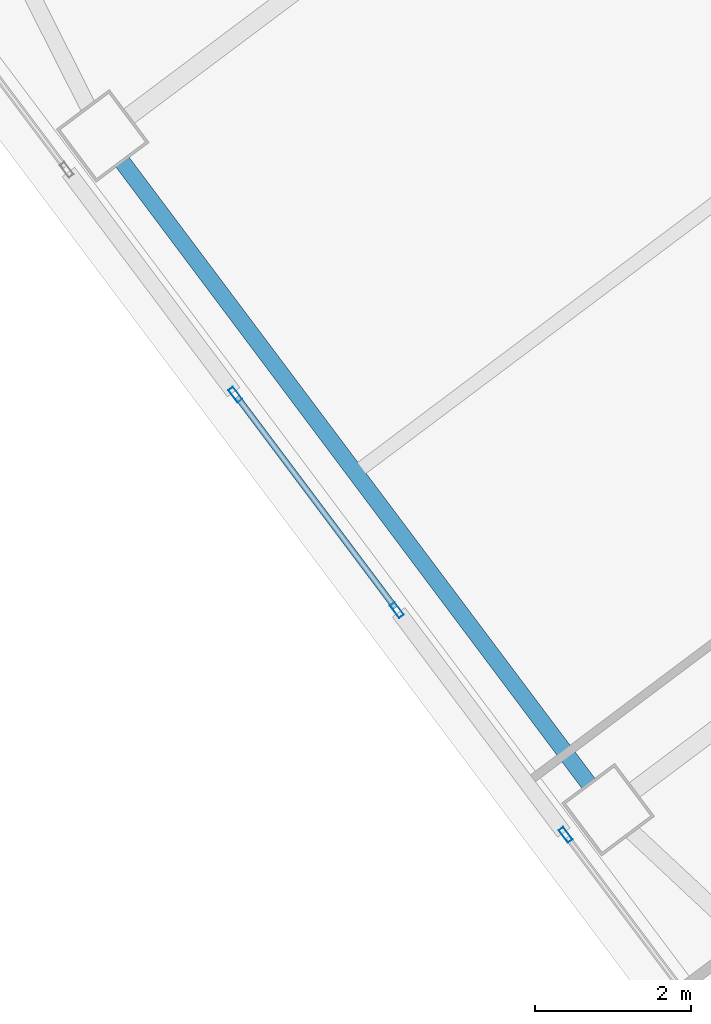
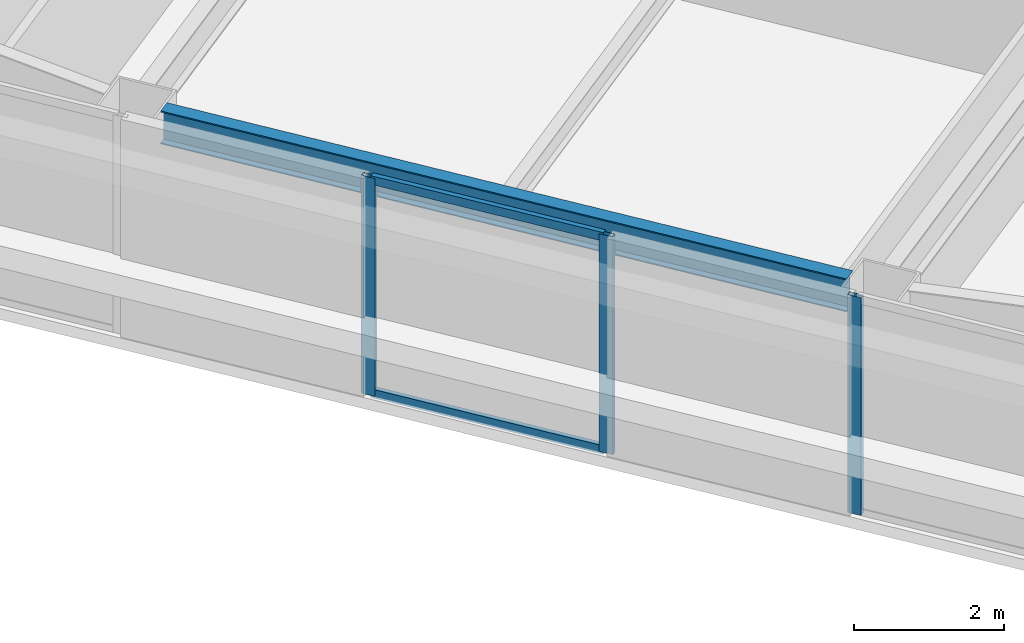
# One storey, part 17 of 42: 5 members, 1 beam, 2 elements without a shape of their own.
"""IFC4 building model written with IfcOpenShell, lengths in metres."""

import ifcopenshell
import ifcopenshell.guid

model = None  # the IFC model being written
_history = None  # IfcOwnerHistory: only IFC2X3 demands one
_inside = {}  # id of a spatial element -> (the spatial element, [elements in it])
_under = {}  # id of a project, library or spatial element -> (it, [spatial elements below it])
_declared = {}  # id of a project -> (the project, [libraries it declares])
_typed = {}  # id of a type object -> (the type object, [elements of that type])
_made_of = {}  # id of a material, layer set ... -> (it, [elements and type objects made of it])


def new_model(schema):
    """Start an empty IFC model of exactly this schema.

    Asked for "IFC4X3", IfcOpenShell would pick the latest addendum, in which some entities
    have other attributes; the version numbers below select the first issue.
    IFC2X3 requires an IfcOwnerHistory on every rooted entity: one is made here for all.
    """
    global model, _history
    if schema == "IFC4X3":
        model = ifcopenshell.file(schema_version=(4, 3, 0, 0))
    else:
        model = ifcopenshell.file(schema=schema)
    _inside.clear()
    _under.clear()
    _declared.clear()
    _typed.clear()
    _made_of.clear()
    _history = None
    if model.schema == "IFC2X3":
        org = make("IfcOrganization", Name="unknown")
        user = make(
            "IfcPersonAndOrganization",
            ThePerson=make("IfcPerson", FamilyName="unknown"),
            TheOrganization=org,
        )
        app = make(
            "IfcApplication",
            ApplicationDeveloper=org,
            Version="unknown",
            ApplicationFullName="unknown",
            ApplicationIdentifier="unknown",
        )
        _history = make(
            "IfcOwnerHistory",
            OwningUser=user,
            OwningApplication=app,
            ChangeAction="ADDED",
            CreationDate=0,
        )
    return model


def make(cls, **values):
    """One entity of the class cls with the attributes given. An attribute that is None is left unset."""
    return model.create_entity(
        cls, **{name: value for name, value in values.items() if value is not None}
    )


def rooted(cls, **values):
    """An entity with a GlobalId (a new one), such as an element, a storey or a relation."""
    return make(cls, GlobalId=ifcopenshell.guid.new(), OwnerHistory=_history, **values)


def si_unit(unit_type, name, prefix=None):
    """IfcSIUnit, for example si_unit("LENGTHUNIT", "METRE", prefix="MILLI")."""
    return make("IfcSIUnit", UnitType=unit_type, Prefix=prefix, Name=name)


def assignment(units):
    """IfcUnitAssignment: the units of a project."""
    return None if units is None else make("IfcUnitAssignment", Units=units)


def point(xyz):
    """IfcCartesianPoint."""
    return None if xyz is None else make("IfcCartesianPoint", Coordinates=xyz)


def direction(xyz):
    """IfcDirection."""
    return None if xyz is None else make("IfcDirection", DirectionRatios=xyz)


def frame(location, z_axis=None, x_axis=None):
    """IfcAxis2Placement3D, a coordinate frame: its origin and axes. An axis left out is left unset."""
    return make(
        "IfcAxis2Placement3D",
        Location=point(location),
        Axis=direction(z_axis),
        RefDirection=direction(x_axis),
    )


def frame_2d(location, x_axis=None):
    """IfcAxis2Placement2D, a coordinate frame in the plane: its origin and x axis."""
    return make(
        "IfcAxis2Placement2D", Location=point(location), RefDirection=direction(x_axis)
    )


def origin():
    """The frame at (0, 0, 0) with its axes left unset."""
    return frame((0.0, 0.0, 0.0))


def origin_2d():
    """The frame at (0, 0) in the plane with its x axis left unset."""
    return frame_2d((0.0, 0.0))


def place(relative_to, where):
    """IfcLocalPlacement: puts the frame where relative to a parent placement (None: the world)."""
    return make(
        "IfcLocalPlacement", PlacementRelTo=relative_to, RelativePlacement=where
    )


def context(
    kind, dimensions, precision=None, world=None, true_north=None, identifier=None
):
    """IfcGeometricRepresentationContext, for example the 3D "Model" context."""
    return make(
        "IfcGeometricRepresentationContext",
        ContextIdentifier=identifier,
        ContextType=kind,
        CoordinateSpaceDimension=dimensions,
        Precision=precision,
        WorldCoordinateSystem=world,
        TrueNorth=true_north,
    )


def subcontext(parent, identifier, kind, view, scale=None):
    """IfcGeometricRepresentationSubContext, for example "Body" below "Model"."""
    return make(
        "IfcGeometricRepresentationSubContext",
        ContextIdentifier=identifier,
        ContextType=kind,
        ParentContext=parent,
        TargetScale=scale,
        TargetView=view,
    )


def project(units=None, contexts=None):
    """IfcProject with its units and contexts."""
    return rooted(
        "IfcProject",
        Name="project",
        RepresentationContexts=contexts,
        UnitsInContext=assignment(units),
    )


def spatial(cls, under=None, at=None, **own):
    """A site, building, storey or space (cls), placed at a placement, below another one or the project."""
    s = rooted(cls, ObjectPlacement=at, **own)
    if under is not None:
        _under.setdefault(under.id(), (under, []))[1].append(s)
    return s


def profile(cls, at=None, kind="AREA", **sizes):
    """A parametric profile (cls). Its sizes go by their IFC names, for example OverallWidth=200.0."""
    return make(cls, ProfileType=kind, Position=at, **sizes)


def hollow_rectangle(**sizes):
    """IfcRectangleHollowProfileDef."""
    return profile("IfcRectangleHollowProfileDef", **sizes)


def i_section(**sizes):
    """IfcIShapeProfileDef."""
    return profile("IfcIShapeProfileDef", **sizes)


def extrude(swept, where, along, depth):
    """IfcExtrudedAreaSolid: the profile swept, set in the frame where, extruded along a direction by depth."""
    return make(
        "IfcExtrudedAreaSolid",
        SweptArea=swept,
        Position=where,
        ExtrudedDirection=direction(along),
        Depth=depth,
    )


def shape(context_of_items, identifier, shape_type, items):
    """IfcShapeRepresentation: the items that make up one representation, for example the "Body"."""
    return make(
        "IfcShapeRepresentation",
        ContextOfItems=context_of_items,
        RepresentationIdentifier=identifier,
        RepresentationType=shape_type,
        Items=items,
    )


def material(Name=None, Category=None):
    """IfcMaterial."""
    return make("IfcMaterial", Name=Name, Category=Category)


def material_profile(
    of_material, cross_section, Name=None, Category=None, Priority=None
):
    """IfcMaterialProfile: a cross section and its material."""
    return make(
        "IfcMaterialProfile",
        Name=Name,
        Material=of_material,
        Profile=cross_section,
        Priority=Priority,
        Category=Category,
    )


def profile_set(profiles, Name=None, composite=None):
    """IfcMaterialProfileSet."""
    return make(
        "IfcMaterialProfileSet",
        Name=Name,
        MaterialProfiles=profiles,
        CompositeProfile=composite,
    )


def made_of(thing, what):
    """Note that an element or type object is made of a material, layer set ...; save() writes the relation."""
    if what is not None:
        _made_of.setdefault(what.id(), (what, []))[1].append(thing)
    return thing


def type_object(cls, material=None, **own):
    """A type object (cls), such as IfcWallType, which elements share."""
    return made_of(rooted(cls, **own), material)


def element(
    cls,
    number,
    at=None,
    inside=None,
    cuts=None,
    type_object=None,
    material=None,
    context=None,
    identifier="Body",
    shape_type=None,
    held_by="IfcProductDefinitionShape",
    body=None,
    shapes=None,
    **own,
):
    """One element of the class cls, such as IfcWall. Its Tag is "e" and its number.

    at: its placement. inside: the storey or other place that contains it. cuts: it is an
    opening in that element (IfcRelVoidsElement). A single representation is given by context,
    identifier, shape_type and body (its items); several are given by shapes. held_by: the class
    of the entity that holds the representations. save() writes the other relations.
    """
    e = rooted(cls, Tag="e%d" % number, ObjectPlacement=at, **own)
    if body is not None:
        shapes = [shape(context, identifier, shape_type, body)]
    if shapes is not None:
        e.Representation = make(held_by, Representations=shapes)
    if inside is not None:
        _inside.setdefault(inside.id(), (inside, []))[1].append(e)
    if cuts is not None:
        rooted(
            "IfcRelVoidsElement", RelatingBuildingElement=cuts, RelatedOpeningElement=e
        )
    if type_object is not None:
        _typed.setdefault(type_object.id(), (type_object, []))[1].append(e)
    return made_of(e, material)


def aggregate(whole, parts):
    """IfcRelAggregates: a whole, such as a stair, and the parts it consists of."""
    return rooted("IfcRelAggregates", RelatingObject=whole, RelatedObjects=parts)


def save(model, path):
    """Write the relations noted so far, then the file.

    IfcRelAggregates (storeys below a building ...), IfcRelContainedInSpatialStructure (elements
    in a storey), IfcRelDefinesByType, IfcRelAssociatesMaterial and IfcRelDeclares: one each for
    every whole, place, type object, material and project.
    """
    for whole, parts in _under.values():
        aggregate(whole, parts)
    for where, things in _inside.values():
        rooted(
            "IfcRelContainedInSpatialStructure",
            RelatedElements=things,
            RelatingStructure=where,
        )
    for kind, things in _typed.values():
        rooted("IfcRelDefinesByType", RelatedObjects=things, RelatingType=kind)
    for what, things in _made_of.values():
        rooted("IfcRelAssociatesMaterial", RelatedObjects=things, RelatingMaterial=what)
    for by, libraries in _declared.values():
        rooted("IfcRelDeclares", RelatingContext=by, RelatedDefinitions=libraries)
    model.write(path)


model = new_model("IFC4")

# Units and contexts
model_context = context("Model", 3, precision=1e-05, world=origin(), true_north=direction((0.0, 1.0)))
body_context = subcontext(model_context, "Body", "Model", "MODEL_VIEW")
ifc_project = project(units=[si_unit("LENGTHUNIT", "METRE"), si_unit("AREAUNIT", "SQUARE_METRE"), si_unit("VOLUMEUNIT", "CUBIC_METRE"), si_unit("PLANEANGLEUNIT", "RADIAN"), si_unit("MASSUNIT", "GRAM", prefix="KILO")], contexts=[model_context])

# Site, building, storey
site_placement = place(None, origin())
site = spatial("IfcSite", under=ifc_project, at=site_placement, CompositionType="ELEMENT")
building_placement = place(site_placement, origin())
building = spatial("IfcBuilding", under=site, at=building_placement, Name="Tashvorn Skyway Center", CompositionType="ELEMENT")
storey_placement = place(building_placement, frame((0.0, 0.0, 121.5)))
storey = spatial("IfcBuildingStorey", under=building, at=storey_placement, Name="L32", CompositionType="ELEMENT", Elevation=121.5)

# Beam
ifc_material_1 = material(Name="Steel ASTM A992 Grade 50", Category="steel")
ifc_material_profile_1 = material_profile(ifc_material_1, i_section(OverallWidth=0.2109375, OverallDepth=0.5390625, WebThickness=0.01171875, FlangeThickness=0.018798828125, at=origin_2d()), Name="W21X73")
ifc_profile_set_1 = profile_set([ifc_material_profile_1], Name="Steel ASTM A992 Grade 50")
beam_type = type_object("IfcBeamType", Name="BM-SPANDREL-W21X73", PredefinedType="SPANDREL", material=ifc_profile_set_1)
beam_placement = place(storey_placement, frame((96.89208984375, 25.39404296875, 3.1005859375), z_axis=(0.599988234018, -0.800008824351, 0.0), x_axis=(0.800008824351, 0.599988234018, 0.0)))
element("IfcBeam", 1, at=beam_placement, inside=storey, type_object=beam_type, Name="Tower 2 L32 Spandrel Beam 11", PredefinedType="SPANDREL", context=body_context, shape_type="SweptSolid", body=[
    extrude(i_section(OverallWidth=0.2109375, OverallDepth=0.5390625, WebThickness=0.01171875, FlangeThickness=0.018798828125, at=origin_2d()), origin(), (0.0, 0.0, 1.0), 9.9599609375),
])

# Curtain wall, member
ifc_material_2 = material(Name="Thermally broken bronze-anodized aluminium 6063-T6", Category="aluminium")
curtain_wall_type = type_object("IfcCurtainWallType", Name="CW-CW-Z3", PredefinedType="NOTDEFINED", material=ifc_material_2)
curtain_wall_1_placement = place(storey_placement, origin())
curtain_wall_1 = element("IfcCurtainWall", 2, at=curtain_wall_1_placement, inside=storey, type_object=curtain_wall_type, Name="Tower 2 L32 West Unitised Curtain Wall Glazing Group 1", PredefinedType="NOTDEFINED")
ifc_material_profile_2 = material_profile(ifc_material_2, hollow_rectangle(XDim=0.074951171875, YDim=0.199951171875, WallThickness=0.00439453125, at=origin_2d()), Name="ALU-MULL-75x200")
ifc_profile_set_2 = profile_set([ifc_material_profile_2], Name="Thermally broken bronze-anodized aluminium 6063-T6")
member_type_1 = type_object("IfcMemberType", Name="CWM-CW-Z3", PredefinedType="MULLION", material=ifc_profile_set_2)
member_1_placement = place(storey_placement, frame((102.574462890625, 16.767333984375, 0.0), z_axis=(0.0, 0.0, 1.0), x_axis=(-0.799998866489, -0.600001511345, 0.0)))
member_1 = element("IfcMember", 3, at=member_1_placement, type_object=member_type_1, Name="CW-Z3 mullion 2", PredefinedType="MULLION", context=body_context, shape_type="SweptSolid", body=[
    extrude(hollow_rectangle(XDim=0.074951171875, YDim=0.199951171875, WallThickness=0.00439453125, at=origin_2d()), origin(), (0.0, 0.0, 1.0), 3.550048828125),
])
aggregate(curtain_wall_1, [member_1])

# Curtain wall, members
curtain_wall_2_placement = place(storey_placement, origin())
curtain_wall_2 = element("IfcCurtainWall", 4, at=curtain_wall_2_placement, inside=storey, type_object=curtain_wall_type, Name="Tower 2 L32 West Unitised Curtain Wall Glazing Group 2", PredefinedType="NOTDEFINED")
member_2_placement = place(storey_placement, frame((100.412109375, 19.650390625, 0.0), z_axis=(0.0, 0.0, 1.0), x_axis=(-0.799999999998, -0.600000000002, 0.0)))
member_2 = element("IfcMember", 5, at=member_2_placement, type_object=member_type_1, Name="CW-Z3 mullion 1", PredefinedType="MULLION", context=body_context, shape_type="SweptSolid", body=[
    extrude(hollow_rectangle(XDim=0.074951171875, YDim=0.199951171875, WallThickness=0.00439453125, at=origin_2d()), origin(), (0.0, 0.0, 1.0), 3.550048828125),
])
member_3_placement = place(storey_placement, frame((98.33984375, 22.41357421875, 0.0), z_axis=(0.0, 0.0, 1.0), x_axis=(-0.799999999998, -0.600000000002, 0.0)))
member_3 = element("IfcMember", 6, at=member_3_placement, type_object=member_type_1, Name="CW-Z3 mullion 2", PredefinedType="MULLION", context=body_context, shape_type="SweptSolid", body=[
    extrude(hollow_rectangle(XDim=0.074951171875, YDim=0.199951171875, WallThickness=0.00439453125, at=origin_2d()), origin(), (0.0, 0.0, 1.0), 3.550048828125),
])
ifc_material_profile_3 = material_profile(ifc_material_2, hollow_rectangle(XDim=0.074951171875, YDim=0.139892578125, WallThickness=0.004150390625, at=origin_2d()), Name="ALU-TRAN-75x140")
ifc_profile_set_3 = profile_set([ifc_material_profile_3], Name="Thermally broken bronze-anodized aluminium 6063-T6")
member_type_2 = type_object("IfcMemberType", Name="CWT-CW-Z3", PredefinedType="USERDEFINED", material=ifc_profile_set_3)
member_4_placement = place(storey_placement, frame((100.3896484375, 19.680419921875, 0.03759765625), z_axis=(-0.6, 0.8, 0.0), x_axis=(-0.8, -0.6, 0.0)))
member_4 = element("IfcMember", 7, at=member_4_placement, type_object=member_type_2, Name="CW-Z3 transom 1.1", ObjectType="TRANSOM", PredefinedType="USERDEFINED", context=body_context, shape_type="SweptSolid", body=[
    extrude(hollow_rectangle(XDim=0.074951171875, YDim=0.139892578125, WallThickness=0.004150390625, at=origin_2d()), origin(), (0.0, 0.0, 1.0), 3.37890625),
])
member_5_placement = place(storey_placement, frame((100.3896484375, 19.680419921875, 3.512451171875), z_axis=(-0.6, 0.8, 0.0), x_axis=(-0.8, -0.6, 0.0)))
member_5 = element("IfcMember", 8, at=member_5_placement, type_object=member_type_2, Name="CW-Z3 transom 1.2", ObjectType="TRANSOM", PredefinedType="USERDEFINED", context=body_context, shape_type="SweptSolid", body=[
    extrude(hollow_rectangle(XDim=0.074951171875, YDim=0.139892578125, WallThickness=0.004150390625, at=origin_2d()), origin(), (0.0, 0.0, 1.0), 3.37890625),
])
aggregate(curtain_wall_2, [member_2, member_3, member_4, member_5])

save(model, "model.ifc")
